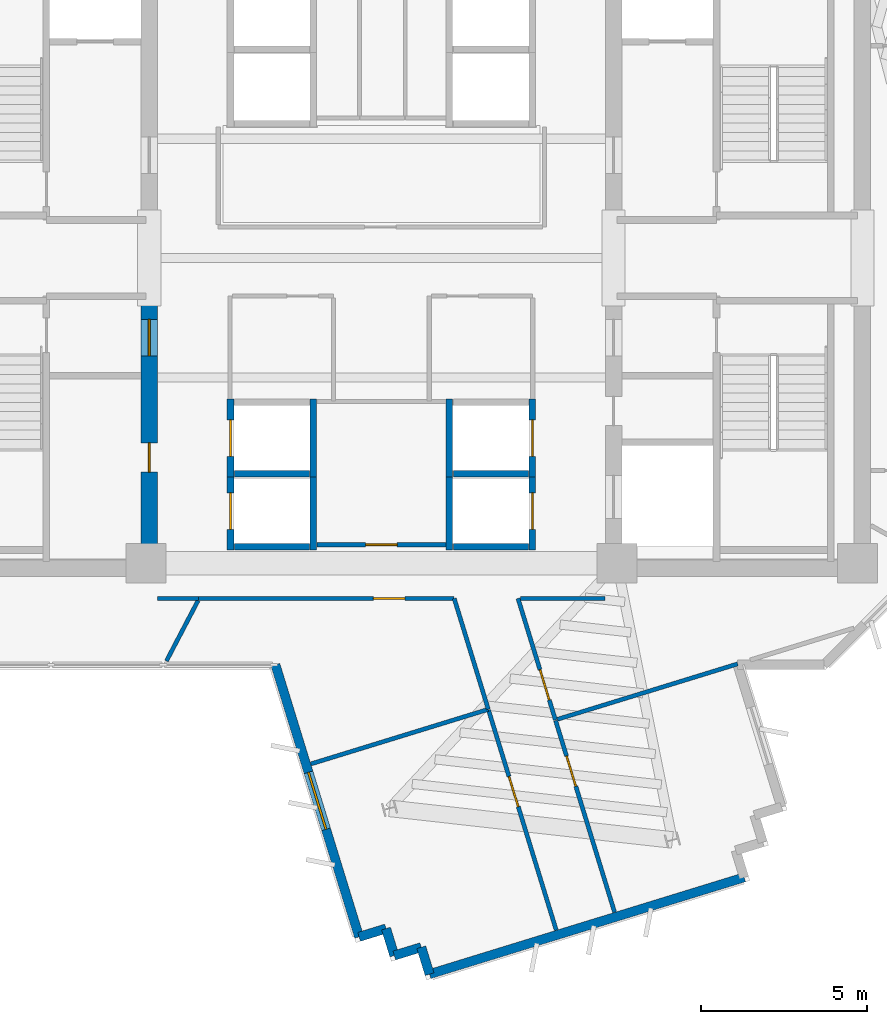
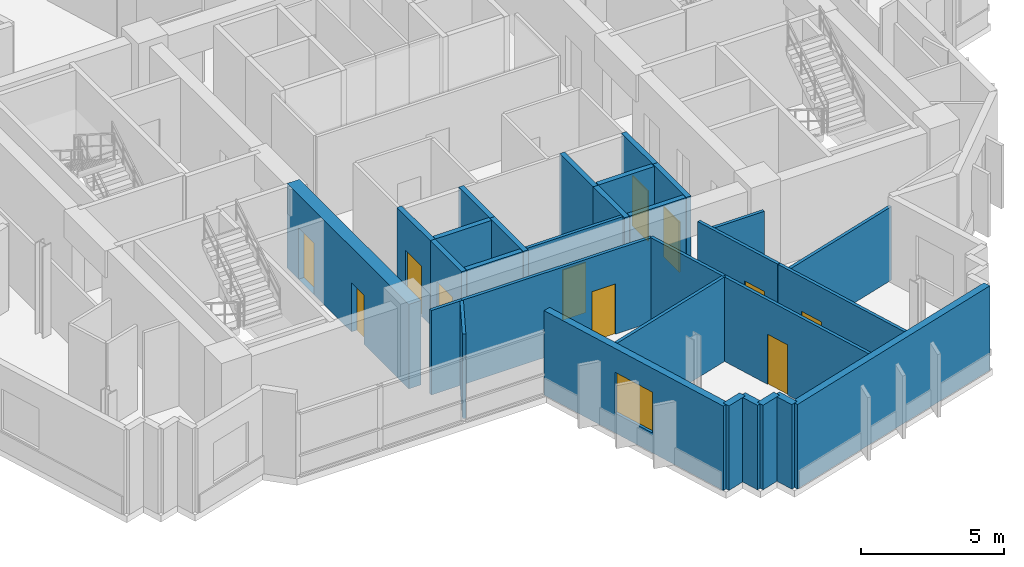
# One storey, part 5 of 13: 30 walls, 11 doors, 1 window, 12 openings.
"""IFC4 building model written with IfcOpenShell, lengths in metres."""

from ifc_helpers import new_model, si_unit, direction, frame, frame_2d, origin, place, context, subcontext, project, spatial, rectangle, extrude, source, transform, mapped, material, layer, layer_set, type_object, element, fill, save


model = new_model("IFC4")

# Units and contexts
model_context = context("Model", 3, precision=1e-05, world=origin(), true_north=direction((0.0, 1.0)))
body_context = subcontext(model_context, "Body", "Model", "MODEL_VIEW")
ifc_project = project(units=[si_unit("LENGTHUNIT", "METRE"), si_unit("AREAUNIT", "SQUARE_METRE"), si_unit("VOLUMEUNIT", "CUBIC_METRE"), si_unit("PLANEANGLEUNIT", "RADIAN"), si_unit("MASSUNIT", "GRAM", prefix="KILO")], contexts=[model_context])

# Site, building, storey
site_placement = place(None, origin())
site = spatial("IfcSite", under=ifc_project, at=site_placement, CompositionType="ELEMENT")
building_placement = place(site_placement, origin())
building = spatial("IfcBuilding", under=site, at=building_placement, Name="Zahravan Cultural Tower", CompositionType="ELEMENT")
storey_placement = place(building_placement, frame((0.0, 0.0, 213.60009765625)))
storey = spatial("IfcBuildingStorey", under=building, at=storey_placement, Name="L50", CompositionType="ELEMENT", Elevation=213.60009765625)

# Wall, openings, doors
ifc_material_1 = material(Name="Concrete C60/75", Category="concrete")
ifc_layer_1 = layer(ifc_material_1, 0.5)
ifc_layer_set_1 = layer_set([ifc_layer_1], Name="Concrete C60/75")
wall_type_1 = type_object("IfcWallType", Name="CW-SHEAR-500-C60", PredefinedType="SHEAR", material=ifc_layer_set_1)
wall_1_placement = place(storey_placement, frame((29.0, 17.39990234375, 0.0), z_axis=(0.0, 0.0, 1.0), x_axis=(0.0, 1.0, 0.0)))
wall_1 = element("IfcWall", 1, at=wall_1_placement, inside=storey, type_object=wall_type_1, Name="L50 Core Shear Wall CW-W-ES-L50", PredefinedType="SHEAR", context=body_context, shape_type="SweptSolid", body=[
    extrude(rectangle(XDim=8.550048828125, YDim=0.5, at=frame_2d((4.27490234375, 0.0))), origin(), (0.0, 0.0, 1.0), 3.619873046875),
])
opening_1_placement = place(wall_1_placement, frame((6.64990234375, 0.0, 0.0)))
opening_1 = element("IfcOpeningElement", 2, at=opening_1_placement, cuts=wall_1, Name="Opening D-L50-07", PredefinedType="OPENING", context=body_context, shape_type="SweptSolid", body=[
    extrude(rectangle(XDim=1.10009765625, YDim=2.199951171875, at=frame_2d((0.550048828125, 1.10009765625))), frame((0.0, 0.260009765625, 0.0), z_axis=(0.0, -1.0, 0.0), x_axis=(1.0, 0.0, 0.0)), (0.0, 0.0, 1.0), 0.52001953125),
])
opening_2_placement = place(wall_1_placement, frame((3.14990234375, 0.0, 0.0)))
opening_2 = element("IfcOpeningElement", 3, at=opening_2_placement, cuts=wall_1, Name="Opening D-L50-09", PredefinedType="OPENING", context=body_context, shape_type="SweptSolid", body=[
    extrude(rectangle(XDim=0.8798828125, YDim=2.10009765625, at=frame_2d((0.43994140625, 1.050048828125))), frame((0.0, 0.260009765625, 0.0), z_axis=(0.0, -1.0, 0.0), x_axis=(1.0, 0.0, 0.0)), (0.0, 0.0, 1.0), 0.52001953125),
])
ifc_material_2 = material(Name="Steel ASTM A572 Grade 50", Category="steel")
door_type_1 = type_object("IfcDoorType", Name="DR-LOBBY-1100", OperationType="NOTDEFINED", PredefinedType="DOOR", material=ifc_material_2)
shared_shape_1 = source(origin(), body_context, "Body", "SweptSolid", [
    extrude(rectangle(XDim=1.10009765625, YDim=2.199951171875, at=frame_2d((0.550048828125, 1.10009765625))), frame((0.0, 0.02490234375, 0.0), z_axis=(0.0, -1.0, 0.0), x_axis=(1.0, 0.0, 0.0)), (0.0, 0.0, 1.0), 0.050048828125),
])
door_1_placement = place(opening_1_placement, origin())
door_1 = element("IfcDoor", 4, at=door_1_placement, inside=storey, type_object=door_type_1, Name="L50 Door D-L50-07", OperationType="SINGLE_SWING_RIGHT", OverallHeight=2.199951171875, OverallWidth=1.10009765625, PredefinedType="DOOR", context=body_context, shape_type="MappedRepresentation", body=[
    mapped(shared_shape_1, transform((0.0, 0.0, 0.0), x_axis=(1.0, 0.0, 0.0), y_axis=(0.0, 1.0, 0.0), z_axis=(0.0, 0.0, 1.0), scale=1.0)),
])
fill(opening_1, door_1)
door_type_2 = type_object("IfcDoorType", Name="DR-SVC-880", OperationType="NOTDEFINED", PredefinedType="DOOR", material=ifc_material_2)
shared_shape_2 = source(origin(), body_context, "Body", "SweptSolid", [
    extrude(rectangle(XDim=0.8798828125, YDim=2.10009765625, at=frame_2d((0.43994140625, 1.050048828125))), frame((0.0, 0.02490234375, 0.0), z_axis=(0.0, -1.0, 0.0), x_axis=(1.0, 0.0, 0.0)), (0.0, 0.0, 1.0), 0.050048828125),
])
door_2_placement = place(opening_2_placement, origin())
door_2 = element("IfcDoor", 5, at=door_2_placement, inside=storey, type_object=door_type_2, Name="L50 Door D-L50-09", OperationType="SINGLE_SWING_RIGHT", OverallHeight=2.10009765625, OverallWidth=0.8798828125, PredefinedType="DOOR", context=body_context, shape_type="MappedRepresentation", body=[
    mapped(shared_shape_2, transform((0.0, 0.0, 0.0), x_axis=(1.0, 0.0, 0.0), y_axis=(0.0, 1.0, 0.0), z_axis=(0.0, 0.0, 1.0), scale=1.0)),
])
fill(opening_2, door_2)

# Wall, opening, window
ifc_material_3 = material(Name="Precast concrete C40/50", Category="concrete")
ifc_layer_2 = layer(ifc_material_3, 0.280029296875)
ifc_layer_set_2 = layer_set([ifc_layer_2], Name="Precast concrete C40/50")
wall_type_2 = type_object("IfcWallType", Name="EW-TC-280", PredefinedType="SOLIDWALL", material=ifc_layer_set_2)
wall_2_placement = place(storey_placement, frame((35.326904296875, 6.53759765625, 0.0), z_axis=(0.0, 0.0, 1.0), x_axis=(-0.294019877333, 0.955799305154, 0.0)))
wall_2 = element("IfcWall", 6, at=wall_2_placement, inside=storey, type_object=wall_type_2, Name="L50 Exterior Masonry Frame Wall 25", PredefinedType="SOLIDWALL", context=body_context, shape_type="SweptSolid", body=[
    extrude(rectangle(XDim=8.581787109375, YDim=0.280029296875, at=frame_2d((4.291015625, 0.0))), origin(), (0.0, 0.0, 1.0), 3.619873046875),
])
opening_3_placement = place(wall_2_placement, frame((3.39111328125, 0.0, 0.85009765625)))
opening_3 = element("IfcOpeningElement", 7, at=opening_3_placement, cuts=wall_2, Name="Opening WN-02", PredefinedType="OPENING", context=body_context, shape_type="SweptSolid", body=[
    extrude(rectangle(XDim=1.800048828125, YDim=1.75, at=frame_2d((0.89990234375, 0.875))), frame((0.0, 0.14990234375, 0.0), z_axis=(0.0, -1.0, 0.0), x_axis=(1.0, 0.0, 0.0)), (0.0, 0.0, 1.0), 0.300048828125),
])
ifc_material_4 = material(Name="Low-E solar-control double glazing", Category="glass")
window_type = type_object("IfcWindowType", Name="WN-REC-1800X1750", PartitioningType="DOUBLE_PANEL_VERTICAL", PredefinedType="WINDOW", material=ifc_material_4)
shared_shape_3 = source(origin(), body_context, "Body", "SweptSolid", [
    extrude(rectangle(XDim=1.800048828125, YDim=1.75, at=frame_2d((0.89990234375, 0.875))), frame((0.0, 0.030029296875, 0.0), z_axis=(0.0, -1.0, 0.0), x_axis=(1.0, 0.0, 0.0)), (0.0, 0.0, 1.0), 0.06005859375),
])
window_placement = place(opening_3_placement, origin())
window = element("IfcWindow", 8, at=window_placement, inside=storey, type_object=window_type, Name="L50 Recessed Solar Window 05", OverallHeight=1.75, OverallWidth=1.800048828125, PartitioningType="DOUBLE_PANEL_VERTICAL", PredefinedType="WINDOW", context=body_context, shape_type="MappedRepresentation", body=[
    mapped(shared_shape_3, transform((0.0, 0.0, 0.0), x_axis=(1.0, 0.0, 0.0), y_axis=(0.0, 1.0, 0.0), z_axis=(0.0, 0.0, 1.0), scale=1.0)),
])
fill(opening_3, window)

# Wall, opening, door
ifc_material_5 = material(Name="Gypsum plasterboard partition")
ifc_layer_3 = layer(ifc_material_5, 0.125)
ifc_layer_set_3 = layer_set([ifc_layer_3], Name="Gypsum plasterboard partition")
wall_type_3 = type_object("IfcWallType", Name="W-PART-125", PredefinedType="PARTITIONING", material=ifc_layer_set_3)
wall_3_placement = place(storey_placement, frame((37.945068359375, 18.360107421875, 0.0), z_axis=(0.0, 0.0, 1.0), x_axis=(-1.0, 0.0, 0.0)))
wall_3 = element("IfcWall", 9, at=wall_3_placement, inside=storey, type_object=wall_type_3, Name="L50 Interior Wall 073", PredefinedType="PARTITIONING", context=body_context, shape_type="SweptSolid", body=[
    extrude(rectangle(XDim=3.89013671875, YDim=0.125, at=frame_2d((1.945068359375, 0.0))), origin(), (0.0, 0.0, 1.0), 3.619873046875),
])
opening_4_placement = place(wall_3_placement, frame((1.469970703125, 0.0, 0.0)))
opening_4 = element("IfcOpeningElement", 10, at=opening_4_placement, cuts=wall_3, Name="Opening D-L50-17", PredefinedType="OPENING", context=body_context, shape_type="SweptSolid", body=[
    extrude(rectangle(XDim=0.949951171875, YDim=2.14990234375, at=frame_2d((0.47509765625, 1.074951171875))), frame((0.0, 0.072509765625, 0.0), z_axis=(0.0, -1.0, 0.0), x_axis=(1.0, 0.0, 0.0)), (0.0, 0.0, 1.0), 0.14501953125),
])
ifc_material_6 = material(Name="Anodised bronze-aluminium mullion", Category="aluminium")
door_type_3 = type_object("IfcDoorType", Name="DR-ROOM-950", OperationType="NOTDEFINED", PredefinedType="DOOR", material=ifc_material_6)
shared_shape_4 = source(origin(), body_context, "Body", "SweptSolid", [
    extrude(rectangle(XDim=0.949951171875, YDim=2.14990234375, at=frame_2d((0.47509765625, 1.074951171875))), frame((0.0, 0.02490234375, 0.0), z_axis=(0.0, -1.0, 0.0), x_axis=(1.0, 0.0, 0.0)), (0.0, 0.0, 1.0), 0.050048828125),
])
door_3_placement = place(opening_4_placement, origin())
door_3 = element("IfcDoor", 11, at=door_3_placement, inside=storey, type_object=door_type_3, Name="L50 Door D-L50-17", OperationType="SINGLE_SWING_RIGHT", OverallHeight=2.14990234375, OverallWidth=0.949951171875, PredefinedType="DOOR", context=body_context, shape_type="MappedRepresentation", body=[
    mapped(shared_shape_4, transform((0.0, 0.0, 0.0), x_axis=(1.0, 0.0, 0.0), y_axis=(0.0, 1.0, 0.0), z_axis=(0.0, 0.0, 1.0), scale=1.0)),
])
fill(opening_4, door_3)

wall_4_placement = place(storey_placement, frame((41.245849609375, 13.076904296875, 0.0), z_axis=(0.0, 0.0, 1.0), x_axis=(-0.294050037582, 0.955790026836, 0.0)))
wall_4 = element("IfcWall", 12, at=wall_4_placement, inside=storey, type_object=wall_type_3, Name="L50 Interior Wall 074", PredefinedType="PARTITIONING", context=body_context, shape_type="SweptSolid", body=[
    extrude(rectangle(XDim=3.83251953125, YDim=0.125, at=frame_2d((1.916259765625, 0.0))), origin(), (0.0, 0.0, 1.0), 3.619873046875),
])
opening_5_placement = place(wall_4_placement, frame((0.634033203125, 0.0, 0.0)))
opening_5 = element("IfcOpeningElement", 13, at=opening_5_placement, cuts=wall_4, Name="Opening D-L50-27", PredefinedType="OPENING", context=body_context, shape_type="SweptSolid", body=[
    extrude(rectangle(XDim=0.949951171875, YDim=2.14990234375, at=frame_2d((0.47509765625, 1.074951171875))), frame((0.0, 0.072509765625, 0.0), z_axis=(0.0, -1.0, 0.0), x_axis=(1.0, 0.0, 0.0)), (0.0, 0.0, 1.0), 0.14501953125),
])
door_4_placement = place(opening_5_placement, origin())
door_4 = element("IfcDoor", 14, at=door_4_placement, inside=storey, type_object=door_type_3, Name="L50 Door D-L50-27", OperationType="SINGLE_SWING_RIGHT", OverallHeight=2.14990234375, OverallWidth=0.949951171875, PredefinedType="DOOR", context=body_context, shape_type="MappedRepresentation", body=[
    mapped(shared_shape_4, transform((0.0, 0.0, 0.0), x_axis=(1.0, 0.0, 0.0), y_axis=(0.0, 1.0, 0.0), z_axis=(0.0, 0.0, 1.0), scale=1.0)),
])
fill(opening_5, door_4)

wall_5_placement = place(storey_placement, frame((30.48974609375, 16.739990234375, 0.0), z_axis=(0.0, 0.0, 1.0), x_axis=(1.0, 0.0, 0.0)))
wall_5 = element("IfcWall", 15, at=wall_5_placement, inside=storey, type_object=wall_type_3, Name="L50 Interior Wall 083", PredefinedType="PARTITIONING", context=body_context, shape_type="SweptSolid", body=[
    extrude(rectangle(XDim=7.7041015625, YDim=0.125, at=frame_2d((3.85205078125, 0.0))), origin(), (0.0, 0.0, 1.0), 3.619873046875),
])
opening_6_placement = place(wall_5_placement, frame((5.26806640625, 0.0, 0.0)))
opening_6 = element("IfcOpeningElement", 16, at=opening_6_placement, cuts=wall_5, Name="Opening D-L50-25", PredefinedType="OPENING", context=body_context, shape_type="SweptSolid", body=[
    extrude(rectangle(XDim=0.949951171875, YDim=2.14990234375, at=frame_2d((0.47509765625, 1.074951171875))), frame((0.0, 0.072509765625, 0.0), z_axis=(0.0, -1.0, 0.0), x_axis=(1.0, 0.0, 0.0)), (0.0, 0.0, 1.0), 0.14501953125),
])
door_5_placement = place(opening_6_placement, origin())
door_5 = element("IfcDoor", 17, at=door_5_placement, inside=storey, type_object=door_type_3, Name="L50 Door D-L50-25", OperationType="SINGLE_SWING_RIGHT", OverallHeight=2.14990234375, OverallWidth=0.949951171875, PredefinedType="DOOR", context=body_context, shape_type="MappedRepresentation", body=[
    mapped(shared_shape_4, transform((0.0, 0.0, 0.0), x_axis=(1.0, 0.0, 0.0), y_axis=(0.0, 1.0, 0.0), z_axis=(0.0, 0.0, 1.0), scale=1.0)),
])
fill(opening_6, door_5)

wall_6_placement = place(storey_placement, frame((43.029296875, 7.280029296875, 0.0), z_axis=(0.0, 0.0, 1.0), x_axis=(-0.294054630952, 0.955788613667, 0.0)))
wall_6 = element("IfcWall", 18, at=wall_6_placement, inside=storey, type_object=wall_type_3, Name="L50 Interior Wall 090", PredefinedType="PARTITIONING", context=body_context, shape_type="SweptSolid", body=[
    extrude(rectangle(XDim=6.045166015625, YDim=0.125, at=frame_2d((3.0224609375, 0.0))), origin(), (0.0, 0.0, 1.0), 3.619873046875),
])
opening_7_placement = place(wall_6_placement, frame((3.97412109375, 0.0, 0.0)))
opening_7 = element("IfcOpeningElement", 19, at=opening_7_placement, cuts=wall_6, Name="Opening D-L50-28", PredefinedType="OPENING", context=body_context, shape_type="SweptSolid", body=[
    extrude(rectangle(XDim=0.949951171875, YDim=2.14990234375, at=frame_2d((0.47509765625, 1.074951171875))), frame((0.0, 0.072509765625, 0.0), z_axis=(0.0, -1.0, 0.0), x_axis=(1.0, 0.0, 0.0)), (0.0, 0.0, 1.0), 0.14501953125),
])
door_6_placement = place(opening_7_placement, origin())
door_6 = element("IfcDoor", 20, at=door_6_placement, inside=storey, type_object=door_type_3, Name="L50 Door D-L50-28", OperationType="SINGLE_SWING_LEFT", OverallHeight=2.14990234375, OverallWidth=0.949951171875, PredefinedType="DOOR", context=body_context, shape_type="MappedRepresentation", body=[
    mapped(shared_shape_4, transform((0.0, 0.0, 0.0), x_axis=(1.0, 0.0, 0.0), y_axis=(0.0, 1.0, 0.0), z_axis=(0.0, 0.0, 1.0), scale=1.0)),
])
fill(opening_7, door_6)

wall_7_placement = place(storey_placement, frame((39.228515625, 13.377197265625, 0.0), z_axis=(0.0, 0.0, 1.0), x_axis=(0.294016682873, -0.955800287818, 0.0)))
wall_7 = element("IfcWall", 21, at=wall_7_placement, inside=storey, type_object=wall_type_3, Name="L50 Interior Wall 095", PredefinedType="PARTITIONING", context=body_context, shape_type="SweptSolid", body=[
    extrude(rectangle(XDim=6.945068359375, YDim=0.125, at=frame_2d((3.47265625, 0.0))), origin(), (0.0, 0.0, 1.0), 3.619873046875),
])
opening_8_placement = place(wall_7_placement, frame((2.098388671875, 0.0, 0.0)))
opening_8 = element("IfcOpeningElement", 22, at=opening_8_placement, cuts=wall_7, Name="Opening D-L50-26", PredefinedType="OPENING", context=body_context, shape_type="SweptSolid", body=[
    extrude(rectangle(XDim=0.949951171875, YDim=2.14990234375, at=frame_2d((0.47509765625, 1.074951171875))), frame((0.0, 0.072509765625, 0.0), z_axis=(0.0, -1.0, 0.0), x_axis=(1.0, 0.0, 0.0)), (0.0, 0.0, 1.0), 0.14501953125),
])
door_7_placement = place(opening_8_placement, origin())
door_7 = element("IfcDoor", 23, at=door_7_placement, inside=storey, type_object=door_type_3, Name="L50 Door D-L50-26", OperationType="SINGLE_SWING_LEFT", OverallHeight=2.14990234375, OverallWidth=0.949951171875, PredefinedType="DOOR", context=body_context, shape_type="MappedRepresentation", body=[
    mapped(shared_shape_4, transform((0.0, 0.0, 0.0), x_axis=(1.0, 0.0, 0.0), y_axis=(0.0, 1.0, 0.0), z_axis=(0.0, 0.0, 1.0), scale=1.0)),
])
fill(opening_8, door_7)

ifc_material_7 = material(Name="Concrete C45/55", Category="concrete")
ifc_layer_4 = layer(ifc_material_7, 0.199951171875)
ifc_layer_set_4 = layer_set([ifc_layer_4], Name="Concrete C45/55")
wall_type_4 = type_object("IfcWallType", Name="W-SHAFT-200", PredefinedType="SOLIDWALL", material=ifc_layer_set_4)
wall_8_placement = place(storey_placement, frame((31.449951171875, 20.39990234375, 0.0), z_axis=(0.0, 0.0, 1.0), x_axis=(0.0, 1.0, 0.0)))
wall_8 = element("IfcWall", 24, at=wall_8_placement, inside=storey, type_object=wall_type_4, Name="L50 Interior Wall 040", PredefinedType="SOLIDWALL", context=body_context, shape_type="SweptSolid", body=[
    extrude(rectangle(XDim=2.35009765625, YDim=0.199951171875, at=frame_2d((1.175048828125, 0.0))), origin(), (0.0, 0.0, 1.0), 3.619873046875),
])
opening_9_placement = place(wall_8_placement, frame((0.625, 0.0, 0.0)))
opening_9 = element("IfcOpeningElement", 25, at=opening_9_placement, cuts=wall_8, Name="Opening LD-L50-04", PredefinedType="OPENING", context=body_context, shape_type="SweptSolid", body=[
    extrude(rectangle(XDim=1.10009765625, YDim=2.14990234375, at=frame_2d((0.550048828125, 1.074951171875))), frame((0.0, 0.10986328125, 0.0), z_axis=(0.0, -1.0, 0.0), x_axis=(1.0, 0.0, 0.0)), (0.0, 0.0, 1.0), 0.219970703125),
])
door_type_4 = type_object("IfcDoorType", Name="DR-LIFT-1100", OperationType="DOUBLE_DOOR_SLIDING", PredefinedType="DOOR", material=ifc_material_2)
shared_shape_5 = source(origin(), body_context, "Body", "SweptSolid", [
    extrude(rectangle(XDim=1.10009765625, YDim=2.14990234375, at=frame_2d((0.550048828125, 1.074951171875))), frame((0.0, 0.02490234375, 0.0), z_axis=(0.0, -1.0, 0.0), x_axis=(1.0, 0.0, 0.0)), (0.0, 0.0, 1.0), 0.050048828125),
])
door_8_placement = place(opening_9_placement, origin())
door_8 = element("IfcDoor", 26, at=door_8_placement, inside=storey, type_object=door_type_4, Name="L50 Door LD-L50-04", OperationType="DOUBLE_DOOR_SLIDING", OverallHeight=2.14990234375, OverallWidth=1.10009765625, PredefinedType="DOOR", context=body_context, shape_type="MappedRepresentation", body=[
    mapped(shared_shape_5, transform((0.0, 0.0, 0.0), x_axis=(1.0, 0.0, 0.0), y_axis=(0.0, 1.0, 0.0), z_axis=(0.0, 0.0, 1.0), scale=1.0)),
])
fill(opening_9, door_8)

wall_9_placement = place(storey_placement, frame((31.449951171875, 18.199951171875, 0.0), z_axis=(0.0, 0.0, 1.0), x_axis=(0.0, 1.0, 0.0)))
wall_9 = element("IfcWall", 27, at=wall_9_placement, inside=storey, type_object=wall_type_4, Name="L50 Interior Wall 044", PredefinedType="SOLIDWALL", context=body_context, shape_type="SweptSolid", body=[
    extrude(rectangle(XDim=2.35009765625, YDim=0.199951171875, at=frame_2d((1.175048828125, 0.0))), origin(), (0.0, 0.0, 1.0), 3.619873046875),
])
opening_10_placement = place(wall_9_placement, frame((0.625, 0.0, 0.0)))
opening_10 = element("IfcOpeningElement", 28, at=opening_10_placement, cuts=wall_9, Name="Opening LD-L50-05", PredefinedType="OPENING", context=body_context, shape_type="SweptSolid", body=[
    extrude(rectangle(XDim=1.10009765625, YDim=2.14990234375, at=frame_2d((0.550048828125, 1.074951171875))), frame((0.0, 0.10986328125, 0.0), z_axis=(0.0, -1.0, 0.0), x_axis=(1.0, 0.0, 0.0)), (0.0, 0.0, 1.0), 0.219970703125),
])
door_9_placement = place(opening_10_placement, origin())
door_9 = element("IfcDoor", 29, at=door_9_placement, inside=storey, type_object=door_type_4, Name="L50 Door LD-L50-05", OperationType="DOUBLE_DOOR_SLIDING", OverallHeight=2.14990234375, OverallWidth=1.10009765625, PredefinedType="DOOR", context=body_context, shape_type="MappedRepresentation", body=[
    mapped(shared_shape_5, transform((0.0, 0.0, 0.0), x_axis=(1.0, 0.0, 0.0), y_axis=(0.0, 1.0, 0.0), z_axis=(0.0, 0.0, 1.0), scale=1.0)),
])
fill(opening_10, door_9)

wall_10_placement = place(storey_placement, frame((40.550048828125, 20.39990234375, 0.0), z_axis=(0.0, 0.0, 1.0), x_axis=(0.0, 1.0, 0.0)))
wall_10 = element("IfcWall", 30, at=wall_10_placement, inside=storey, type_object=wall_type_4, Name="L50 Interior Wall 048", PredefinedType="SOLIDWALL", context=body_context, shape_type="SweptSolid", body=[
    extrude(rectangle(XDim=2.35009765625, YDim=0.199951171875, at=frame_2d((1.175048828125, 0.0))), origin(), (0.0, 0.0, 1.0), 3.619873046875),
])
opening_11_placement = place(wall_10_placement, frame((0.625, 0.0, 0.0)))
opening_11 = element("IfcOpeningElement", 31, at=opening_11_placement, cuts=wall_10, Name="Opening LD-L50-06", PredefinedType="OPENING", context=body_context, shape_type="SweptSolid", body=[
    extrude(rectangle(XDim=1.10009765625, YDim=2.14990234375, at=frame_2d((0.550048828125, 1.074951171875))), frame((0.0, 0.10986328125, 0.0), z_axis=(0.0, -1.0, 0.0), x_axis=(1.0, 0.0, 0.0)), (0.0, 0.0, 1.0), 0.219970703125),
])
door_10_placement = place(opening_11_placement, origin())
door_10 = element("IfcDoor", 32, at=door_10_placement, inside=storey, type_object=door_type_4, Name="L50 Door LD-L50-06", OperationType="DOUBLE_DOOR_SLIDING", OverallHeight=2.14990234375, OverallWidth=1.10009765625, PredefinedType="DOOR", context=body_context, shape_type="MappedRepresentation", body=[
    mapped(shared_shape_5, transform((0.0, 0.0, 0.0), x_axis=(1.0, 0.0, 0.0), y_axis=(0.0, 1.0, 0.0), z_axis=(0.0, 0.0, 1.0), scale=1.0)),
])
fill(opening_11, door_10)

wall_11_placement = place(storey_placement, frame((40.550048828125, 18.199951171875, 0.0), z_axis=(0.0, 0.0, 1.0), x_axis=(0.0, 1.0, 0.0)))
wall_11 = element("IfcWall", 33, at=wall_11_placement, inside=storey, type_object=wall_type_4, Name="L50 Interior Wall 052", PredefinedType="SOLIDWALL", context=body_context, shape_type="SweptSolid", body=[
    extrude(rectangle(XDim=2.35009765625, YDim=0.199951171875, at=frame_2d((1.175048828125, 0.0))), origin(), (0.0, 0.0, 1.0), 3.619873046875),
])
opening_12_placement = place(wall_11_placement, frame((0.625, 0.0, 0.0)))
opening_12 = element("IfcOpeningElement", 34, at=opening_12_placement, cuts=wall_11, Name="Opening LD-L50-07", PredefinedType="OPENING", context=body_context, shape_type="SweptSolid", body=[
    extrude(rectangle(XDim=1.10009765625, YDim=2.14990234375, at=frame_2d((0.550048828125, 1.074951171875))), frame((0.0, 0.10986328125, 0.0), z_axis=(0.0, -1.0, 0.0), x_axis=(1.0, 0.0, 0.0)), (0.0, 0.0, 1.0), 0.219970703125),
])
door_11_placement = place(opening_12_placement, origin())
door_11 = element("IfcDoor", 35, at=door_11_placement, inside=storey, type_object=door_type_4, Name="L50 Door LD-L50-07", OperationType="DOUBLE_DOOR_SLIDING", OverallHeight=2.14990234375, OverallWidth=1.10009765625, PredefinedType="DOOR", context=body_context, shape_type="MappedRepresentation", body=[
    mapped(shared_shape_5, transform((0.0, 0.0, 0.0), x_axis=(1.0, 0.0, 0.0), y_axis=(0.0, 1.0, 0.0), z_axis=(0.0, 0.0, 1.0), scale=1.0)),
])
fill(opening_12, door_11)

# Walls
shared_shape_6 = source(origin(), body_context, "Body", "SweptSolid", [
    extrude(rectangle(XDim=0.85009765625, YDim=0.280029296875, at=frame_2d((0.425048828125, 0.0))), origin(), (0.0, 0.0, 1.0), 3.619873046875),
])
for number, where, z_axis, x_axis, name in (
    (36, (37.45166015625, 5.41259765625, 0.0), (0.0, 0.0, 1.0), (-0.293823460726, 0.955859704102, 0.0), "L50 Exterior Masonry Frame Wall 21"),
    (37, (37.201904296875, 6.22509765625, 0.0), (0.0, 0.0, 1.0), (-0.955779008722, -0.294085848838, 0.0), "L50 Exterior Masonry Frame Wall 22"),
    (38, (36.389404296875, 5.97509765625, 0.0), (0.0, 0.0, 1.0), (-0.294085848838, 0.955779008722, 0.0), "L50 Exterior Masonry Frame Wall 23"),
    (39, (36.139404296875, 6.78759765625, 0.0), (0.0, 0.0, 1.0), (-0.955779008722, -0.294085848838, 0.0), "L50 Exterior Masonry Frame Wall 24"),
):
    element("IfcWall", number, at=place(storey_placement, frame(where, z_axis=z_axis, x_axis=x_axis)), inside=storey, type_object=wall_type_2, Name=name, PredefinedType="SOLIDWALL", context=body_context, shape_type="MappedRepresentation", body=[
        mapped(shared_shape_6, transform((0.0, 0.0, 0.0), x_axis=(1.0, 0.0, 0.0), y_axis=(0.0, 1.0, 0.0), z_axis=(0.0, 0.0, 1.0), scale=1.0)),
    ])
shared_shape_7 = source(origin(), body_context, "Body", "SweptSolid", [
    extrude(rectangle(XDim=9.919921875, YDim=0.280029296875, at=frame_2d((4.9599609375, 0.0))), origin(), (0.0, 0.0, 1.0), 3.619873046875),
])
wall_12_placement = place(storey_placement, frame((46.93310546875, 8.329345703125, 0.0), z_axis=(0.0, 0.0, 1.0), x_axis=(-0.955796567368, -0.294028777175, 0.0)))
element("IfcWall", 40, at=wall_12_placement, inside=storey, type_object=wall_type_2, Name="L50 Exterior Masonry Frame Wall 20", PredefinedType="SOLIDWALL", context=body_context, shape_type="MappedRepresentation", body=[
    mapped(shared_shape_7, transform((0.0, 0.0, 0.0), x_axis=(1.0, 0.0, 0.0), y_axis=(0.0, 1.0, 0.0), z_axis=(0.0, 0.0, 1.0), scale=1.0)),
])
shared_shape_8 = source(origin(), body_context, "Body", "SweptSolid", [
    extrude(rectangle(XDim=2.260009765625, YDim=0.199951171875, at=frame_2d((1.1298828125, 0.0))), origin(), (0.0, 0.0, 1.0), 3.619873046875),
])
for number, where, z_axis, x_axis, name in (
    (41, (31.570068359375, 20.5, 0.0), (0.0, 0.0, 1.0), (1.0, 0.0, 0.0), "L50 Interior Wall 042"),
    (42, (31.570068359375, 18.300048828125, 0.0), (0.0, 0.0, 1.0), (1.0, 0.0, 0.0), "L50 Interior Wall 046"),
    (43, (38.169921875, 20.5, 0.0), (0.0, 0.0, 1.0), (1.0, 0.0, 0.0), "L50 Interior Wall 049"),
    (44, (38.169921875, 18.300048828125, 0.0), (0.0, 0.0, 1.0), (1.0, 0.0, 0.0), "L50 Interior Wall 053"),
):
    element("IfcWall", number, at=place(storey_placement, frame(where, z_axis=z_axis, x_axis=x_axis)), inside=storey, type_object=wall_type_4, Name=name, PredefinedType="SOLIDWALL", context=body_context, shape_type="MappedRepresentation", body=[
        mapped(shared_shape_8, transform((0.0, 0.0, 0.0), x_axis=(1.0, 0.0, 0.0), y_axis=(0.0, 1.0, 0.0), z_axis=(0.0, 0.0, 1.0), scale=1.0)),
    ])
shared_shape_9 = source(origin(), body_context, "Body", "SweptSolid", [
    extrude(rectangle(XDim=2.35009765625, YDim=0.199951171875, at=frame_2d((1.175048828125, 0.0))), origin(), (0.0, 0.0, 1.0), 3.619873046875),
])
for number, where, z_axis, x_axis, name in (
    (45, (33.949951171875, 20.39990234375, 0.0), (0.0, 0.0, 1.0), (0.0, 1.0, 0.0), "L50 Interior Wall 041"),
    (46, (33.949951171875, 18.199951171875, 0.0), (0.0, 0.0, 1.0), (0.0, 1.0, 0.0), "L50 Interior Wall 045"),
    (47, (38.050048828125, 20.39990234375, 0.0), (0.0, 0.0, 1.0), (0.0, 1.0, 0.0), "L50 Interior Wall 047"),
    (48, (38.050048828125, 18.199951171875, 0.0), (0.0, 0.0, 1.0), (0.0, 1.0, 0.0), "L50 Interior Wall 051"),
):
    element("IfcWall", number, at=place(storey_placement, frame(where, z_axis=z_axis, x_axis=x_axis)), inside=storey, type_object=wall_type_4, Name=name, PredefinedType="SOLIDWALL", context=body_context, shape_type="MappedRepresentation", body=[
        mapped(shared_shape_9, transform((0.0, 0.0, 0.0), x_axis=(1.0, 0.0, 0.0), y_axis=(0.0, 1.0, 0.0), z_axis=(0.0, 0.0, 1.0), scale=1.0)),
    ])
shared_shape_10 = source(origin(), body_context, "Body", "SweptSolid", [
    extrude(rectangle(XDim=2.556884765625, YDim=0.125, at=frame_2d((1.2783203125, 0.0))), origin(), (0.0, 0.0, 1.0), 3.14892578125),
])
wall_13_placement = place(storey_placement, frame((40.189697265625, 16.739990234375, 0.0), z_axis=(0.0, 0.0, 1.0), x_axis=(0.999999886036, 0.000477418068, 0.0)))
element("IfcWall", 49, at=wall_13_placement, inside=storey, type_object=wall_type_3, Name="L50 Interior Wall 075", PredefinedType="PARTITIONING", context=body_context, shape_type="MappedRepresentation", body=[
    mapped(shared_shape_10, transform((0.0, 0.0, 0.0), x_axis=(1.0, 0.0, 0.0), y_axis=(0.0, 1.0, 0.0), z_axis=(0.0, 0.0, 1.0), scale=1.0)),
])
shared_shape_11 = source(origin(), body_context, "Body", "SweptSolid", [
    extrude(rectangle(XDim=5.680419921875, YDim=0.125, at=frame_2d((2.84033203125, 0.0))), origin(), (0.0, 0.0, 1.0), 3.14892578125),
])
wall_14_placement = place(storey_placement, frame((46.73974609375, 14.76708984375, 0.0), z_axis=(0.0, 0.0, 1.0), x_axis=(-0.955800379324, -0.294016385402, 0.0)))
element("IfcWall", 50, at=wall_14_placement, inside=storey, type_object=wall_type_3, Name="L50 Interior Wall 077", PredefinedType="PARTITIONING", context=body_context, shape_type="MappedRepresentation", body=[
    mapped(shared_shape_11, transform((0.0, 0.0, 0.0), x_axis=(1.0, 0.0, 0.0), y_axis=(0.0, 1.0, 0.0), z_axis=(0.0, 0.0, 1.0), scale=1.0)),
])
shared_shape_12 = source(origin(), body_context, "Body", "SweptSolid", [
    extrude(rectangle(XDim=3.498291015625, YDim=0.125, at=frame_2d((1.7490234375, 0.0))), origin(), (0.0, 0.0, 1.0), 3.619873046875),
])
wall_15_placement = place(storey_placement, frame((38.19384765625, 16.739990234375, 0.0), z_axis=(0.0, 0.0, 1.0), x_axis=(0.294012288782, -0.955801639487, 0.0)))
element("IfcWall", 51, at=wall_15_placement, inside=storey, type_object=wall_type_3, Name="L50 Interior Wall 084", PredefinedType="PARTITIONING", context=body_context, shape_type="MappedRepresentation", body=[
    mapped(shared_shape_12, transform((0.0, 0.0, 0.0), x_axis=(1.0, 0.0, 0.0), y_axis=(0.0, 1.0, 0.0), z_axis=(0.0, 0.0, 1.0), scale=1.0)),
])
shared_shape_13 = source(origin(), body_context, "Body", "SweptSolid", [
    extrude(rectangle(XDim=5.594970703125, YDim=0.125, at=frame_2d((2.79736328125, 0.0))), origin(), (0.0, 0.0, 1.0), 3.619873046875),
])
wall_16_placement = place(storey_placement, frame((39.222412109375, 13.396240234375, 0.0), z_axis=(0.0, 0.0, 1.0), x_axis=(-0.955787499516, -0.294058252339, 0.0)))
element("IfcWall", 52, at=wall_16_placement, inside=storey, type_object=wall_type_3, Name="L50 Interior Wall 085", PredefinedType="PARTITIONING", context=body_context, shape_type="MappedRepresentation", body=[
    mapped(shared_shape_13, transform((0.0, 0.0, 0.0), x_axis=(1.0, 0.0, 0.0), y_axis=(0.0, 1.0, 0.0), z_axis=(0.0, 0.0, 1.0), scale=1.0)),
])
shared_shape_14 = source(origin(), body_context, "Body", "SweptSolid", [
    extrude(rectangle(XDim=2.057861328125, YDim=0.125, at=frame_2d((1.02880859375, 0.0))), origin(), (0.0, 0.0, 1.0), 3.619873046875),
])
wall_17_placement = place(storey_placement, frame((29.520263671875, 14.85498046875, 0.0), z_axis=(0.0, 0.0, 1.0), x_axis=(0.463745427916, 0.885968497232, 0.0)))
element("IfcWall", 53, at=wall_17_placement, inside=storey, type_object=wall_type_3, Name="L50 Interior Wall 086", PredefinedType="PARTITIONING", context=body_context, shape_type="MappedRepresentation", body=[
    mapped(shared_shape_14, transform((0.0, 0.0, 0.0), x_axis=(1.0, 0.0, 0.0), y_axis=(0.0, 1.0, 0.0), z_axis=(0.0, 0.0, 1.0), scale=1.0)),
])
shared_shape_15 = source(origin(), body_context, "Body", "SweptSolid", [
    extrude(rectangle(XDim=1.238037109375, YDim=0.125, at=frame_2d((0.619140625, 0.0))), origin(), (0.0, 0.0, 1.0), 3.619873046875),
])
wall_18_placement = place(storey_placement, frame((29.251708984375, 16.74267578125, 0.0), z_axis=(0.0, 0.0, 1.0), x_axis=(0.9999976473, -0.002169192293, 0.0)))
element("IfcWall", 54, at=wall_18_placement, inside=storey, type_object=wall_type_3, Name="L50 Interior Wall 106", PredefinedType="PARTITIONING", context=body_context, shape_type="MappedRepresentation", body=[
    mapped(shared_shape_15, transform((0.0, 0.0, 0.0), x_axis=(1.0, 0.0, 0.0), y_axis=(0.0, 1.0, 0.0), z_axis=(0.0, 0.0, 1.0), scale=1.0)),
])

save(model, "model.ifc")
